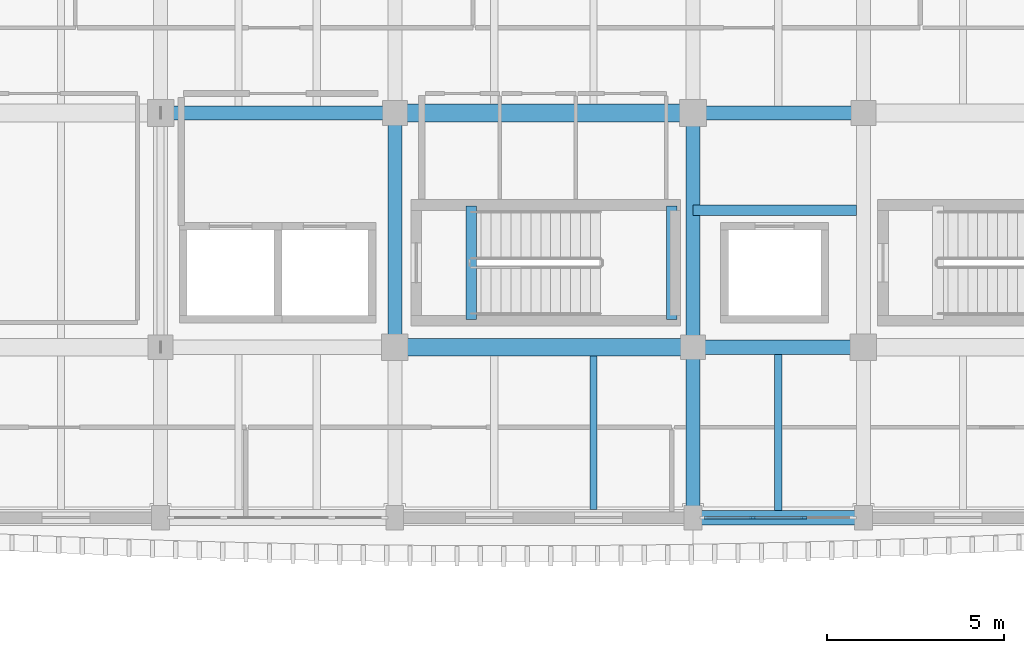
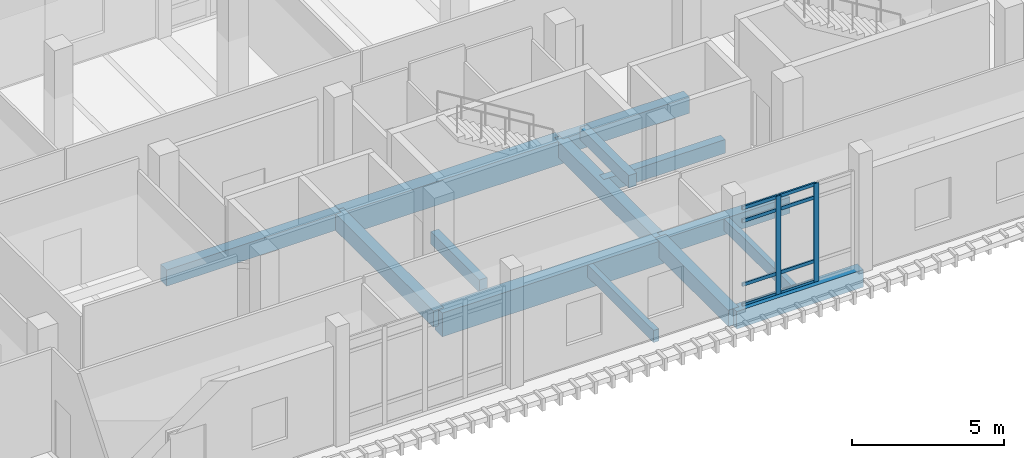
# One storey, part 16 of 76: 14 beams, 10 members, 1 element without a shape of its own.
"""IFC4 building model written with IfcOpenShell, lengths in metres."""

from ifc_helpers import new_model, si_unit, direction, frame, origin, origin_2d, place, context, subcontext, project, spatial, rectangle, extrude, material, material_profile, profile_set, type_object, element, aggregate, save


model = new_model("IFC4")

# Units and contexts
model_context = context("Model", 3, precision=1e-05, world=origin(), true_north=direction((0.0, 1.0)))
body_context = subcontext(model_context, "Body", "Model", "MODEL_VIEW")
ifc_project = project(units=[si_unit("LENGTHUNIT", "METRE"), si_unit("AREAUNIT", "SQUARE_METRE"), si_unit("VOLUMEUNIT", "CUBIC_METRE"), si_unit("PLANEANGLEUNIT", "RADIAN"), si_unit("MASSUNIT", "GRAM", prefix="KILO")], contexts=[model_context])

# Site, building, storey
site_placement = place(None, origin())
site = spatial("IfcSite", under=ifc_project, at=site_placement, CompositionType="ELEMENT")
building_placement = place(site_placement, origin())
building = spatial("IfcBuilding", under=site, at=building_placement, Name="Dornvale Research Institute", CompositionType="ELEMENT")
storey_placement = place(building_placement, frame((0.0, 0.0, 15.0)))
storey = spatial("IfcBuildingStorey", under=building, at=storey_placement, Name="L03", CompositionType="ELEMENT", Elevation=15.0)

# Beams
ifc_material_1 = material(Name="Concrete f'c 45 MPa (C35/45)", Category="concrete")
ifc_material_profile_1 = material_profile(ifc_material_1, rectangle(XDim=0.300048828125, YDim=0.5, at=origin_2d()), Name="RC 300x500")
ifc_profile_set_1 = profile_set([ifc_material_profile_1], Name="Concrete f'c 45 MPa (C35/45)")
beam_type_1 = type_object("IfcBeamType", Name="Beam_RC300x500_Trim", PredefinedType="BEAM", material=ifc_profile_set_1)
for number, where, z_axis, x_axis, name in (
    (1, (21.949951171875, 104.580078125, -0.25), (0.0, 1.0, 0.0), (-1.0, 0.0, 0.0), "L03 ST-1 stair landing trimmer beam #4"),
    (2, (27.60009765625, 104.580078125, 1.949951171875), (0.0, 1.0, 0.0), (-1.0, 0.0, 0.0), "L03 ST-1 half-landing support beam #17"),
):
    element("IfcBeam", number, at=place(storey_placement, frame(where, z_axis=z_axis, x_axis=x_axis)), inside=storey, type_object=beam_type_1, Name=name, PredefinedType="BEAM", context=body_context, shape_type="SweptSolid", body=[
        extrude(rectangle(XDim=0.300048828125, YDim=0.5, at=origin_2d()), origin(), (0.0, 0.0, 1.0), 3.199951171875),
    ])
ifc_material_2 = material(Name="Concrete f'c 45 MPa (C35/45)", Category="concrete")
ifc_material_profile_2 = material_profile(ifc_material_2, rectangle(XDim=0.39990234375, YDim=0.64990234375, at=origin_2d()), Name="RC 400x650")
ifc_profile_set_2 = profile_set([ifc_material_profile_2], Name="Concrete f'c 45 MPa (C35/45)")
beam_type_2 = type_object("IfcBeamType", Name="Beam_RC400x650_Floor", PredefinedType="BEAM", material=ifc_profile_set_2)
beam_1_placement = place(storey_placement, frame((28.199951171875, 103.800048828125, -0.324951171875), z_axis=(1.0, 0.0, 0.0), x_axis=(0.0, 1.0, 0.0)))
element("IfcBeam", 3, at=beam_1_placement, inside=storey, type_object=beam_type_2, Name="L03 primary girder #860", PredefinedType="BEAM", context=body_context, shape_type="SweptSolid", body=[
    extrude(rectangle(XDim=0.39990234375, YDim=0.64990234375, at=origin_2d()), origin(), (0.0, 0.0, 1.0), 4.800048828125),
])
beam_2_placement = place(storey_placement, frame((13.199951171875, 110.39990234375, -0.324951171875), z_axis=(1.0, 0.0, 0.0), x_axis=(0.0, 1.0, 0.0)))
element("IfcBeam", 4, at=beam_2_placement, inside=storey, type_object=beam_type_2, Name="L03 primary girder #865", PredefinedType="BEAM", context=body_context, shape_type="SweptSolid", body=[
    extrude(rectangle(XDim=0.39990234375, YDim=0.64990234375, at=origin_2d()), origin(), (0.0, 0.0, 1.0), 6.60009765625),
])
beam_3_placement = place(storey_placement, frame((28.199951171875, 110.39990234375, -0.324951171875), z_axis=(1.0, 0.0, 0.0), x_axis=(0.0, 1.0, 0.0)))
element("IfcBeam", 5, at=beam_3_placement, inside=storey, type_object=beam_type_2, Name="L03 primary girder #867", PredefinedType="BEAM", context=body_context, shape_type="SweptSolid", body=[
    extrude(rectangle(XDim=0.39990234375, YDim=0.64990234375, at=origin_2d()), origin(), (0.0, 0.0, 1.0), 4.800048828125),
])
beam_4_placement = place(storey_placement, frame((19.800048828125, 103.800048828125, -0.324951171875), z_axis=(0.0, 1.0, 0.0), x_axis=(-1.0, 0.0, 0.0)))
element("IfcBeam", 6, at=beam_4_placement, inside=storey, type_object=beam_type_2, Name="L03 transverse girder #897", PredefinedType="BEAM", context=body_context, shape_type="SweptSolid", body=[
    extrude(rectangle(XDim=0.39990234375, YDim=0.64990234375, at=origin_2d()), origin(), (0.0, 0.0, 1.0), 6.599853515625),
])
beam_5_placement = place(storey_placement, frame((28.199951171875, 99.0, -0.324951171875), z_axis=(0.0, 1.0, 0.0), x_axis=(-1.0, 0.0, 0.0)))
element("IfcBeam", 7, at=beam_5_placement, inside=storey, type_object=beam_type_2, Name="L03 transverse girder #900", PredefinedType="BEAM", context=body_context, shape_type="SweptSolid", body=[
    extrude(rectangle(XDim=0.39990234375, YDim=0.64990234375, at=origin_2d()), origin(), (0.0, 0.0, 1.0), 4.800048828125),
])
beam_6_placement = place(storey_placement, frame((28.199951171875, 103.800048828125, -0.324951171875), z_axis=(0.0, 1.0, 0.0), x_axis=(-1.0, 0.0, 0.0)))
element("IfcBeam", 8, at=beam_6_placement, inside=storey, type_object=beam_type_2, Name="L03 transverse girder #901", PredefinedType="BEAM", context=body_context, shape_type="SweptSolid", body=[
    extrude(rectangle(XDim=0.39990234375, YDim=0.64990234375, at=origin_2d()), origin(), (0.0, 0.0, 1.0), 6.599853515625),
])
ifc_material_3 = material(Name="Concrete f'c 45 MPa (C35/45)", Category="concrete")
ifc_material_profile_3 = material_profile(ifc_material_3, rectangle(XDim=0.5, YDim=0.949951171875, at=origin_2d()), Name="RC 500x950")
ifc_profile_set_3 = profile_set([ifc_material_profile_3], Name="Concrete f'c 45 MPa (C35/45)")
beam_type_3 = type_object("IfcBeamType", Name="Beam_RC500x950_Girder", PredefinedType="BEAM", material=ifc_profile_set_3)
for number, where, z_axis, x_axis, name in (
    (9, (19.800048828125, 103.800048828125, -0.47509765625), (1.0, 0.0, 0.0), (0.0, 1.0, 0.0), "L03 primary girder #859"),
    (10, (19.800048828125, 110.39990234375, -0.47509765625), (1.0, 0.0, 0.0), (0.0, 1.0, 0.0), "L03 primary girder #866"),
):
    element("IfcBeam", number, at=place(storey_placement, frame(where, z_axis=z_axis, x_axis=x_axis)), inside=storey, type_object=beam_type_3, Name=name, PredefinedType="BEAM", context=body_context, shape_type="SweptSolid", body=[
        extrude(rectangle(XDim=0.5, YDim=0.949951171875, at=origin_2d()), origin(), (0.0, 0.0, 1.0), 8.39990234375),
    ])
ifc_material_4 = material(Name="Concrete f'c 45 MPa (C35/45)", Category="concrete")
ifc_material_profile_4 = material_profile(ifc_material_4, rectangle(XDim=0.199951171875, YDim=0.485107421875, at=origin_2d()), Name="RC 200x485")
ifc_profile_set_4 = profile_set([ifc_material_profile_4], Name="Concrete f'c 45 MPa (C35/45)")
beam_type_4 = type_object("IfcBeamType", Name="Joist_RC200x485_Rib", PredefinedType="JOIST", material=ifc_profile_set_4)
beam_7_placement = place(storey_placement, frame((25.39990234375, 99.22509765625, -0.242431640625), z_axis=(0.0, 1.0, 0.0), x_axis=(-1.0, 0.0, 0.0)))
element("IfcBeam", 11, at=beam_7_placement, inside=storey, type_object=beam_type_4, Name="L03 laboratory waffle joist #434", PredefinedType="JOIST", context=body_context, shape_type="SweptSolid", body=[
    extrude(rectangle(XDim=0.199951171875, YDim=0.485107421875, at=origin_2d()), origin(), (0.0, 0.0, 1.0), 4.324951171875),
])
beam_8_placement = place(storey_placement, frame((30.60009765625, 99.199951171875, -0.242431640625), z_axis=(0.0, 1.0, 0.0), x_axis=(-1.0, 0.0, 0.0)))
element("IfcBeam", 12, at=beam_8_placement, inside=storey, type_object=beam_type_4, Name="L03 laboratory waffle joist #439", PredefinedType="JOIST", context=body_context, shape_type="SweptSolid", body=[
    extrude(rectangle(XDim=0.199951171875, YDim=0.485107421875, at=origin_2d()), origin(), (0.0, 0.0, 1.0), 4.400146484375),
])
ifc_material_5 = material(Name="Concrete f'c 45 MPa (C35/45)", Category="concrete")
ifc_material_profile_5 = material_profile(ifc_material_5, rectangle(XDim=0.300048828125, YDim=0.550048828125, at=origin_2d()), Name="RC 300x550")
ifc_profile_set_5 = profile_set([ifc_material_profile_5], Name="Concrete f'c 45 MPa (C35/45)")
beam_type_5 = type_object("IfcBeamType", Name="Lintel_RC300x550_Core", PredefinedType="LINTEL", material=ifc_profile_set_5)
beam_9_placement = place(storey_placement, frame((28.199951171875, 107.659912109375, -0.27490234375), z_axis=(1.0, 0.0, 0.0), x_axis=(0.0, 1.0, 0.0)))
element("IfcBeam", 13, at=beam_9_placement, inside=storey, type_object=beam_type_5, Name="L03 core coupling lintel #2029", PredefinedType="LINTEL", context=body_context, shape_type="SweptSolid", body=[
    extrude(rectangle(XDim=0.300048828125, YDim=0.550048828125, at=origin_2d()), origin(), (0.0, 0.0, 1.0), 4.60009765625),
])

# Curtain wall, members
ifc_material_6 = material(Name="Low-E Argon Double Insulating Glazing Unit", Category="glass")
curtain_wall_type = type_object("IfcCurtainWallType", Name="UnitisedCurtainWall_V5_4300x3950", PredefinedType="USERDEFINED", material=ifc_material_6)
curtain_wall_placement = place(storey_placement, origin())
curtain_wall = element("IfcCurtainWall", 14, at=curtain_wall_placement, inside=storey, type_object=curtain_wall_type, Name="L03 V5 unitised curtain wall CW-25 #154", ObjectType="UNITISED CURTAIN WALL", PredefinedType="USERDEFINED")
ifc_material_7 = material(Name="Anodized Aluminum AA 6063-T6 Thermally Broken Frame", Category="aluminium")
ifc_material_profile_6 = material_profile(ifc_material_7, rectangle(XDim=0.06494140625, YDim=0.179931640625, at=origin_2d()), Name="ALU MULLION 65x180")
ifc_profile_set_6 = profile_set([ifc_material_profile_6], Name="Anodized Aluminum AA 6063-T6 Thermally Broken Frame")
member_type_1 = type_object("IfcMemberType", Name="Mullion_CW_65x180", PredefinedType="MULLION", material=ifc_profile_set_6)
member_1_placement = place(storey_placement, frame((31.316650390625, 99.0, 0.0), z_axis=(0.0, 0.0, 1.0), x_axis=(0.0, -1.0, 0.0)))
member_1 = element("IfcMember", 15, at=member_1_placement, type_object=member_type_1, Name="CW-25 mullion 2", PredefinedType="MULLION", context=body_context, shape_type="SweptSolid", body=[
    extrude(rectangle(XDim=0.06494140625, YDim=0.179931640625, at=origin_2d()), origin(), (0.0, 0.0, 1.0), 3.949951171875),
])
member_2_placement = place(storey_placement, frame((29.88330078125, 99.0, 0.0), z_axis=(0.0, 0.0, 1.0), x_axis=(0.0, -1.0, 0.0)))
member_2 = element("IfcMember", 16, at=member_2_placement, type_object=member_type_1, Name="CW-25 mullion 3", PredefinedType="MULLION", context=body_context, shape_type="SweptSolid", body=[
    extrude(rectangle(XDim=0.06494140625, YDim=0.179931640625, at=origin_2d()), origin(), (0.0, 0.0, 1.0), 3.949951171875),
])

# Beam
ifc_material_8 = material(Name="Concrete f'c 45 MPa (C35/45)", Category="concrete")
ifc_material_profile_7 = material_profile(ifc_material_8, rectangle(XDim=0.39990234375, YDim=0.699951171875, at=origin_2d()), Name="RC 400x700")
ifc_profile_set_7 = profile_set([ifc_material_profile_7], Name="Concrete f'c 45 MPa (C35/45)")
beam_type_6 = type_object("IfcBeamType", Name="Spandrel_RC400x700_Ext", PredefinedType="SPANDREL", material=ifc_profile_set_7)
beam_10_placement = place(storey_placement, frame((28.199951171875, 99.0, -0.35009765625), z_axis=(1.0, 0.0, 0.0), x_axis=(0.0, 1.0, 0.0)))
element("IfcBeam", 17, at=beam_10_placement, inside=storey, type_object=beam_type_6, Name="L03 perimeter spandrel #853", PredefinedType="SPANDREL", context=body_context, shape_type="SweptSolid", body=[
    extrude(rectangle(XDim=0.39990234375, YDim=0.699951171875, at=origin_2d()), origin(), (0.0, 0.0, 1.0), 4.800048828125),
])

# Member
ifc_material_9 = material(Name="Anodized Aluminum AA 6063-T6 Thermally Broken Frame", Category="aluminium")
ifc_material_profile_8 = material_profile(ifc_material_9, rectangle(XDim=0.06494140625, YDim=0.135009765625, at=origin_2d()), Name="ALU TRANSOM 65x135")
ifc_profile_set_8 = profile_set([ifc_material_profile_8], Name="Anodized Aluminum AA 6063-T6 Thermally Broken Frame")
member_type_2 = type_object("IfcMemberType", Name="Transom_CW_65x135", PredefinedType="USERDEFINED", material=ifc_profile_set_8)
member_3_placement = place(storey_placement, frame((31.2841796875, 99.0, 0.032470703125), z_axis=(-1.0, 0.0, 0.0), x_axis=(0.0, -1.0, 0.0)))
member_3 = element("IfcMember", 18, at=member_3_placement, type_object=member_type_2, Name="CW-25 transom 2.1", ObjectType="TRANSOM", PredefinedType="USERDEFINED", context=body_context, shape_type="SweptSolid", body=[
    extrude(rectangle(XDim=0.06494140625, YDim=0.135009765625, at=origin_2d()), origin(), (0.0, 0.0, 1.0), 1.368408203125),
])

member_4_placement = place(storey_placement, frame((31.2841796875, 99.0, 0.85009765625), z_axis=(-1.0, 0.0, 0.0), x_axis=(0.0, -1.0, 0.0)))
member_4 = element("IfcMember", 19, at=member_4_placement, type_object=member_type_2, Name="CW-25 transom 2.2", ObjectType="TRANSOM", PredefinedType="USERDEFINED", context=body_context, shape_type="SweptSolid", body=[
    extrude(rectangle(XDim=0.06494140625, YDim=0.135009765625, at=origin_2d()), origin(), (0.0, 0.0, 1.0), 1.368408203125),
])

member_5_placement = place(storey_placement, frame((31.2841796875, 99.0, 3.39990234375), z_axis=(-1.0, 0.0, 0.0), x_axis=(0.0, -1.0, 0.0)))
member_5 = element("IfcMember", 20, at=member_5_placement, type_object=member_type_2, Name="CW-25 transom 2.3", ObjectType="TRANSOM", PredefinedType="USERDEFINED", context=body_context, shape_type="SweptSolid", body=[
    extrude(rectangle(XDim=0.06494140625, YDim=0.135009765625, at=origin_2d()), origin(), (0.0, 0.0, 1.0), 1.368408203125),
])

member_6_placement = place(storey_placement, frame((31.2841796875, 99.0, 3.91748046875), z_axis=(-1.0, 0.0, 0.0), x_axis=(0.0, -1.0, 0.0)))
member_6 = element("IfcMember", 21, at=member_6_placement, type_object=member_type_2, Name="CW-25 transom 2.4", ObjectType="TRANSOM", PredefinedType="USERDEFINED", context=body_context, shape_type="SweptSolid", body=[
    extrude(rectangle(XDim=0.06494140625, YDim=0.135009765625, at=origin_2d()), origin(), (0.0, 0.0, 1.0), 1.368408203125),
])

member_7_placement = place(storey_placement, frame((29.850830078125, 99.0, 0.032470703125), z_axis=(-1.0, 0.0, 0.0), x_axis=(0.0, -1.0, 0.0)))
member_7 = element("IfcMember", 22, at=member_7_placement, type_object=member_type_2, Name="CW-25 transom 3.1", ObjectType="TRANSOM", PredefinedType="USERDEFINED", context=body_context, shape_type="SweptSolid", body=[
    extrude(rectangle(XDim=0.06494140625, YDim=0.135009765625, at=origin_2d()), origin(), (0.0, 0.0, 1.0), 1.3359375),
])

member_8_placement = place(storey_placement, frame((29.850830078125, 99.0, 0.85009765625), z_axis=(-1.0, 0.0, 0.0), x_axis=(0.0, -1.0, 0.0)))
member_8 = element("IfcMember", 23, at=member_8_placement, type_object=member_type_2, Name="CW-25 transom 3.2", ObjectType="TRANSOM", PredefinedType="USERDEFINED", context=body_context, shape_type="SweptSolid", body=[
    extrude(rectangle(XDim=0.06494140625, YDim=0.135009765625, at=origin_2d()), origin(), (0.0, 0.0, 1.0), 1.3359375),
])

member_9_placement = place(storey_placement, frame((29.850830078125, 99.0, 3.39990234375), z_axis=(-1.0, 0.0, 0.0), x_axis=(0.0, -1.0, 0.0)))
member_9 = element("IfcMember", 24, at=member_9_placement, type_object=member_type_2, Name="CW-25 transom 3.3", ObjectType="TRANSOM", PredefinedType="USERDEFINED", context=body_context, shape_type="SweptSolid", body=[
    extrude(rectangle(XDim=0.06494140625, YDim=0.135009765625, at=origin_2d()), origin(), (0.0, 0.0, 1.0), 1.3359375),
])

member_10_placement = place(storey_placement, frame((29.850830078125, 99.0, 3.91748046875), z_axis=(-1.0, 0.0, 0.0), x_axis=(0.0, -1.0, 0.0)))
member_10 = element("IfcMember", 25, at=member_10_placement, type_object=member_type_2, Name="CW-25 transom 3.4", ObjectType="TRANSOM", PredefinedType="USERDEFINED", context=body_context, shape_type="SweptSolid", body=[
    extrude(rectangle(XDim=0.06494140625, YDim=0.135009765625, at=origin_2d()), origin(), (0.0, 0.0, 1.0), 1.3359375),
])

aggregate(curtain_wall, [member_1, member_2, member_3, member_4, member_5, member_6, member_7, member_8, member_9, member_10])

save(model, "model.ifc")
